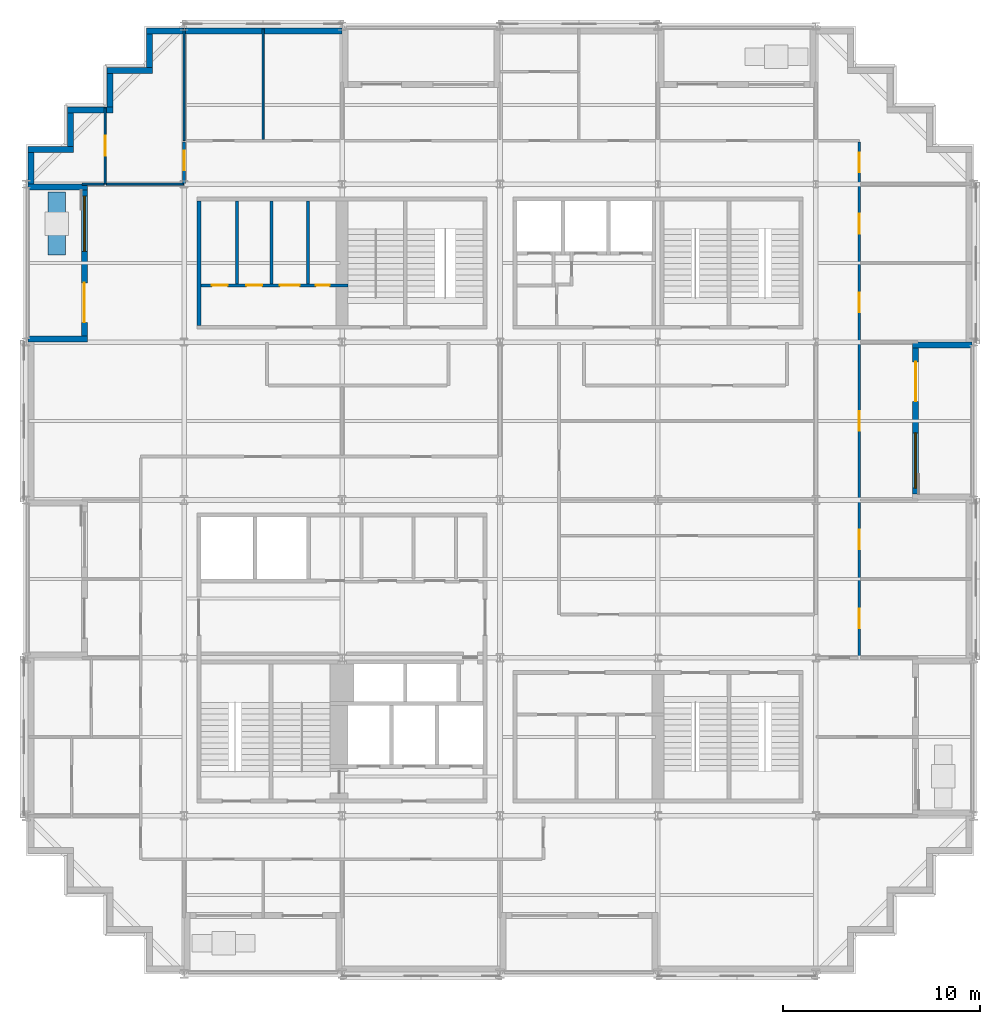
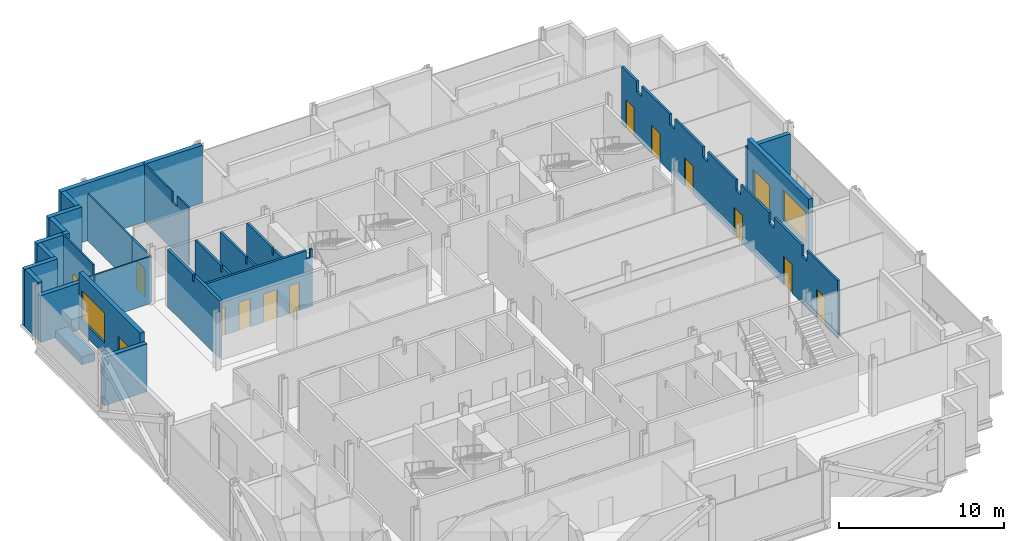
# One storey, part 9 of 15: 26 walls, 14 doors, 2 windows, 16 openings.
"""IFC4 building model written with IfcOpenShell, lengths in metres."""

from ifc_helpers import new_model, si_unit, direction, frame, frame_2d, origin, place, context, subcontext, project, spatial, polyline, rectangle, outline, extrude, material, layer, layer_set, type_object, element, fill, save


model = new_model("IFC4")

# Units and contexts
model_context = context("Model", 3, precision=1e-05, world=origin(), true_north=direction((0.0, 1.0)))
body_context = subcontext(model_context, "Body", "Model", "MODEL_VIEW")
ifc_project = project(units=[si_unit("LENGTHUNIT", "METRE"), si_unit("AREAUNIT", "SQUARE_METRE"), si_unit("VOLUMEUNIT", "CUBIC_METRE"), si_unit("PLANEANGLEUNIT", "RADIAN"), si_unit("MASSUNIT", "GRAM", prefix="KILO")], contexts=[model_context])

# Site, building, storey
site_placement = place(None, origin())
site = spatial("IfcSite", under=ifc_project, at=site_placement, CompositionType="ELEMENT")
building_placement = place(site_placement, origin())
building = spatial("IfcBuilding", under=site, at=building_placement, Name="Immortelle Media Tower", CompositionType="ELEMENT")
storey_placement = place(building_placement, frame((0.0, 0.0, 100.800048828125)))
storey = spatial("IfcBuildingStorey", under=building, at=storey_placement, Name="L19", CompositionType="ELEMENT", Elevation=100.800048828125)

# Wall, openings, doors
ifc_material_1 = material(Name="Fire-rated gypsum board", Category="gypsum")
ifc_layer_1 = layer(ifc_material_1, 0.02490234375)
ifc_material_2 = material(Name="Steel ASTM A653 SS Gr 50 stud frame with mineral wool", Category="steel")
ifc_layer_2 = layer(ifc_material_2, 0.10009765625)
ifc_layer_3 = layer(ifc_material_1, 0.02490234375)
ifc_layer_set_1 = layer_set([ifc_layer_1, ifc_layer_2, ifc_layer_3], Name="Steel ASTM A653 SS Gr 50 stud frame with mineral wool")
wall_type_1 = type_object("IfcWallType", Name="Core partition 150", PredefinedType="PARTITIONING", material=ifc_layer_set_1)
wall_1_placement = place(storey_placement, frame((8.85009765625, 34.875, 0.0), z_axis=(0.0, 0.0, 1.0), x_axis=(1.0, 0.0, 0.0)))
wall_1 = element("IfcWall", 1, at=wall_1_placement, inside=storey, type_object=wall_type_1, Name="Core partition NW", PredefinedType="PARTITIONING", context=body_context, shape_type="SweptSolid", body=[
    extrude(outline(polyline([(0.0, 0.0), (7.449951171875, 0.0), (7.449951171875, 4.25), (7.26953125, 4.25), (7.2685546875, 3.6318359375), (7.031494140625, 3.6318359375), (7.030517578125, 4.25), (0.0, 4.25), (0.0, 0.0)])), frame((0.0, 0.074951171875, 0.0), z_axis=(0.0, -1.0, 0.0), x_axis=(1.0, 0.0, 0.0)), (0.0, 0.0, 1.0), 0.14990234375),
])
opening_1_placement = place(wall_1_placement, frame((0.550048828125, 0.0, 0.0)))
opening_1 = element("IfcOpeningElement", 2, at=opening_1_placement, cuts=wall_1, Name="Opening N6-K021", PredefinedType="OPENING", context=body_context, shape_type="SweptSolid", body=[
    extrude(rectangle(XDim=0.800048828125, YDim=2.10009765625, at=frame_2d((0.39990234375, 1.050048828125))), frame((0.0, 0.0849609375, 0.0), z_axis=(0.0, -1.0, 0.0), x_axis=(1.0, 0.0, 0.0)), (0.0, 0.0, 1.0), 0.169921875),
])
opening_2_placement = place(wall_1_placement, frame((2.300048828125, 0.0, 0.0)))
opening_2 = element("IfcOpeningElement", 3, at=opening_2_placement, cuts=wall_1, Name="Opening N6-K022", PredefinedType="OPENING", context=body_context, shape_type="SweptSolid", body=[
    extrude(rectangle(XDim=0.800048828125, YDim=2.10009765625, at=frame_2d((0.39990234375, 1.050048828125))), frame((0.0, 0.0849609375, 0.0), z_axis=(0.0, -1.0, 0.0), x_axis=(1.0, 0.0, 0.0)), (0.0, 0.0, 1.0), 0.169921875),
])
opening_3_placement = place(wall_1_placement, frame((4.0, 0.0, 0.0)))
opening_3 = element("IfcOpeningElement", 4, at=opening_3_placement, cuts=wall_1, Name="Opening N6-K023", PredefinedType="OPENING", context=body_context, shape_type="SweptSolid", body=[
    extrude(rectangle(XDim=1.0, YDim=2.10009765625, at=frame_2d((0.5, 1.050048828125))), frame((0.0, 0.0849609375, 0.0), z_axis=(0.0, -1.0, 0.0), x_axis=(1.0, 0.0, 0.0)), (0.0, 0.0, 1.0), 0.169921875),
])
opening_4_placement = place(wall_1_placement, frame((5.824951171875, 0.0, 0.0)))
opening_4 = element("IfcOpeningElement", 5, at=opening_4_placement, cuts=wall_1, Name="Opening N6-K025", PredefinedType="OPENING", context=body_context, shape_type="SweptSolid", body=[
    extrude(rectangle(XDim=0.699951171875, YDim=2.10009765625, at=frame_2d((0.35009765625, 1.050048828125))), frame((0.0, 0.0849609375, 0.0), z_axis=(0.0, -1.0, 0.0), x_axis=(1.0, 0.0, 0.0)), (0.0, 0.0, 1.0), 0.169921875),
])
ifc_material_3 = material(Name="Timber", Category="wood")
door_type_1 = type_object("IfcDoorType", Name="Accessible toilet door 1000 x 2100", OperationType="NOTDEFINED", PredefinedType="NOTDEFINED", material=ifc_material_3)
door_1_placement = place(opening_3_placement, origin())
door_1 = element("IfcDoor", 6, at=door_1_placement, inside=storey, type_object=door_type_1, Name="Accessible toilet N6-K023", OperationType="SINGLE_SWING_RIGHT", OverallHeight=2.10009765625, OverallWidth=1.0, PredefinedType="NOTDEFINED", context=body_context, shape_type="SweptSolid", body=[
    extrude(rectangle(XDim=1.0, YDim=2.10009765625, at=frame_2d((0.5, 1.050048828125))), frame((0.0, 0.02490234375, 0.0), z_axis=(0.0, -1.0, 0.0), x_axis=(1.0, 0.0, 0.0)), (0.0, 0.0, 1.0), 0.050048828125),
])
fill(opening_3, door_1)
ifc_material_4 = material(Name="Galvanised steel door leaf and frame ASTM A653", Category="steel")
door_type_2 = type_object("IfcDoorType", Name="Service door 700 x 2100", OperationType="NOTDEFINED", PredefinedType="NOTDEFINED", material=ifc_material_4)
door_2_placement = place(opening_4_placement, origin())
door_2 = element("IfcDoor", 7, at=door_2_placement, inside=storey, type_object=door_type_2, Name="Service N6-K025", OperationType="SINGLE_SWING_RIGHT", OverallHeight=2.10009765625, OverallWidth=0.699951171875, PredefinedType="NOTDEFINED", context=body_context, shape_type="SweptSolid", body=[
    extrude(rectangle(XDim=0.699951171875, YDim=2.10009765625, at=frame_2d((0.35009765625, 1.050048828125))), frame((0.0, 0.02490234375, 0.0), z_axis=(0.0, -1.0, 0.0), x_axis=(1.0, 0.0, 0.0)), (0.0, 0.0, 1.0), 0.050048828125),
])
fill(opening_4, door_2)
door_type_3 = type_object("IfcDoorType", Name="Toilet door 800 x 2100", OperationType="NOTDEFINED", PredefinedType="NOTDEFINED", material=ifc_material_3)
door_3_placement = place(opening_1_placement, origin())
door_3 = element("IfcDoor", 8, at=door_3_placement, inside=storey, type_object=door_type_3, Name="Toilet N6-K021", OperationType="SINGLE_SWING_RIGHT", OverallHeight=2.10009765625, OverallWidth=0.800048828125, PredefinedType="NOTDEFINED", context=body_context, shape_type="SweptSolid", body=[
    extrude(rectangle(XDim=0.800048828125, YDim=2.10009765625, at=frame_2d((0.39990234375, 1.050048828125))), frame((0.0, 0.02490234375, 0.0), z_axis=(0.0, -1.0, 0.0), x_axis=(1.0, 0.0, 0.0)), (0.0, 0.0, 1.0), 0.050048828125),
])
fill(opening_1, door_3)
door_4_placement = place(opening_2_placement, origin())
door_4 = element("IfcDoor", 9, at=door_4_placement, inside=storey, type_object=door_type_3, Name="Toilet N6-K022", OperationType="SINGLE_SWING_LEFT", OverallHeight=2.10009765625, OverallWidth=0.800048828125, PredefinedType="NOTDEFINED", context=body_context, shape_type="SweptSolid", body=[
    extrude(rectangle(XDim=0.800048828125, YDim=2.10009765625, at=frame_2d((0.39990234375, 1.050048828125))), frame((0.0, 0.02490234375, 0.0), z_axis=(0.0, -1.0, 0.0), x_axis=(1.0, 0.0, 0.0)), (0.0, 0.0, 1.0), 0.050048828125),
])
fill(opening_2, door_4)

# Walls
for number, where, z_axis, x_axis, name in (
    (10, (10.675048828125, 34.949951171875, 0.0), (0.0, 0.0, 1.0), (0.0, 1.0, 0.0), "Core partition NW"),
    (11, (12.425048828125, 34.949951171875, 0.0), (0.0, 0.0, 1.0), (0.0, 1.0, 0.0), "Core partition NW"),
    (12, (14.27490234375, 34.949951171875, 0.0), (0.0, 0.0, 1.0), (0.0, 1.0, 0.0), "Core partition NW"),
):
    element("IfcWall", number, at=place(storey_placement, frame(where, z_axis=z_axis, x_axis=x_axis)), inside=storey, type_object=wall_type_1, Name=name, PredefinedType="PARTITIONING", context=body_context, shape_type="SweptSolid", body=[
        extrude(outline(polyline([(0.0, 0.0), (4.199951171875, 0.0), (4.199951171875, 4.25), (1.131591796875, 4.25), (1.130615234375, 3.7890625), (0.969482421875, 3.7890625), (0.968505859375, 4.25), (0.0, 4.25), (0.0, 0.0)])), frame((0.0, 0.074951171875, 0.0), z_axis=(0.0, -1.0, 0.0), x_axis=(1.0, 0.0, 0.0)), (0.0, 0.0, 1.0), 0.14990234375),
    ])
ifc_layer_4 = layer(ifc_material_1, 0.03759765625)
ifc_layer_5 = layer(ifc_material_2, 0.125)
ifc_layer_6 = layer(ifc_material_1, 0.03759765625)
ifc_layer_set_2 = layer_set([ifc_layer_4, ifc_layer_5, ifc_layer_6], Name="Steel ASTM A653 SS Gr 50 stud frame with mineral wool")
wall_type_2 = type_object("IfcWallType", Name="Core shaft wall 200", PredefinedType="PARTITIONING", material=ifc_layer_set_2)
wall_2_placement = place(storey_placement, frame((8.75, 32.85009765625, 0.0), z_axis=(0.0, 0.0, 1.0), x_axis=(0.0, 1.0, 0.0)))
element("IfcWall", 13, at=wall_2_placement, inside=storey, type_object=wall_type_2, Name="Core shaft wall NW", PredefinedType="PARTITIONING", context=body_context, shape_type="SweptSolid", body=[
    extrude(outline(polyline([(0.0, 0.0), (6.2998046875, 0.0), (6.300048828125, 4.25), (3.2314453125, 4.25), (3.23046875, 3.7890625), (3.069580078125, 3.7890625), (3.068603515625, 4.25), (0.0, 4.25), (0.0, 0.0)])), frame((0.0, 0.10009765625, 0.0), z_axis=(0.0, -1.0, 0.0), x_axis=(1.0, 0.0, 0.0)), (0.0, 0.0, 1.0), 0.199951171875),
])

# Wall, openings, doors
ifc_layer_7 = layer(ifc_material_1, 0.012451171875)
ifc_layer_8 = layer(ifc_material_2, 0.125)
ifc_layer_9 = layer(ifc_material_1, 0.012451171875)
ifc_layer_set_3 = layer_set([ifc_layer_7, ifc_layer_8, ifc_layer_9], Name="Steel ASTM A653 SS Gr 50 stud frame with mineral wool")
wall_type_3 = type_object("IfcWallType", Name="Corridor wall 150", PredefinedType="PARTITIONING", material=ifc_layer_set_3)
wall_3_placement = place(storey_placement, frame((42.199951171875, 16.0, 0.0), z_axis=(0.0, 0.0, 1.0), x_axis=(0.0, 1.0, 0.0)))
wall_3 = element("IfcWall", 14, at=wall_3_placement, inside=storey, type_object=wall_type_3, Name="Partition L19-021", PredefinedType="PARTITIONING", context=body_context, shape_type="SweptSolid", body=[
    extrude(outline(polyline([(0.0, 0.0), (26.125, 0.0), (26.125, 4.25), (24.300048828125, 4.25), (24.298095703125, 3.469970703125), (23.701904296875, 3.469970703125), (23.699951171875, 4.25), (20.300048828125, 4.25), (20.298095703125, 3.469970703125), (19.701904296875, 3.469970703125), (19.699951171875, 4.25), (16.300048828125, 4.25), (16.298095703125, 3.469970703125), (15.701904296875, 3.469970703125), (15.699951171875, 4.25), (12.300048828125, 4.25), (12.298095703125, 3.469970703125), (11.701904296875, 3.469970703125), (11.699951171875, 4.25), (8.300048828125, 4.25), (8.298095703125, 3.469970703125), (7.701904296875, 3.469970703125), (7.699951171875, 4.25), (4.300048828125, 4.25), (4.298095703125, 3.469970703125), (3.701904296875, 3.469970703125), (3.699951171875, 4.25), (0.0, 4.25), (0.0, 0.0)])), frame((0.0, 0.074951171875, 0.0), z_axis=(0.0, -1.0, 0.0), x_axis=(1.0, 0.0, 0.0)), (0.0, 0.0, 1.0), 0.14990234375),
])
opening_5_placement = place(wall_3_placement, frame((2.5, 0.0, 0.0), z_axis=(0.0, 0.0, 1.0), x_axis=(-1.0, 0.0, 0.0)))
opening_5 = element("IfcOpeningElement", 15, at=opening_5_placement, cuts=wall_3, Name="Opening N6-F014", PredefinedType="OPENING", context=body_context, shape_type="SweptSolid", body=[
    extrude(rectangle(XDim=1.0, YDim=2.10009765625, at=frame_2d((0.5, 1.050048828125))), frame((0.0, 0.0849609375, 0.0), z_axis=(0.0, -1.0, 0.0), x_axis=(1.0, 0.0, 0.0)), (0.0, 0.0, 1.0), 0.169921875),
])
opening_6_placement = place(wall_3_placement, frame((6.5, 0.0, 0.0), z_axis=(0.0, 0.0, 1.0), x_axis=(-1.0, 0.0, 0.0)))
opening_6 = element("IfcOpeningElement", 16, at=opening_6_placement, cuts=wall_3, Name="Opening N6-F015", PredefinedType="OPENING", context=body_context, shape_type="SweptSolid", body=[
    extrude(rectangle(XDim=1.0, YDim=2.10009765625, at=frame_2d((0.5, 1.050048828125))), frame((0.0, 0.0849609375, 0.0), z_axis=(0.0, -1.0, 0.0), x_axis=(1.0, 0.0, 0.0)), (0.0, 0.0, 1.0), 0.169921875),
])
opening_7_placement = place(wall_3_placement, frame((12.5, 0.0, 0.0), z_axis=(0.0, 0.0, 1.0), x_axis=(-1.0, 0.0, 0.0)))
opening_7 = element("IfcOpeningElement", 17, at=opening_7_placement, cuts=wall_3, Name="Opening N6-F020", PredefinedType="OPENING", context=body_context, shape_type="SweptSolid", body=[
    extrude(rectangle(XDim=1.0, YDim=2.10009765625, at=frame_2d((0.5, 1.050048828125))), frame((0.0, 0.0849609375, 0.0), z_axis=(0.0, -1.0, 0.0), x_axis=(1.0, 0.0, 0.0)), (0.0, 0.0, 1.0), 0.169921875),
])
opening_8_placement = place(wall_3_placement, frame((18.5, 0.0, 0.0), z_axis=(0.0, 0.0, 1.0), x_axis=(-1.0, 0.0, 0.0)))
opening_8 = element("IfcOpeningElement", 18, at=opening_8_placement, cuts=wall_3, Name="Opening N6-F023", PredefinedType="OPENING", context=body_context, shape_type="SweptSolid", body=[
    extrude(rectangle(XDim=1.0, YDim=2.10009765625, at=frame_2d((0.5, 1.050048828125))), frame((0.0, 0.0849609375, 0.0), z_axis=(0.0, -1.0, 0.0), x_axis=(1.0, 0.0, 0.0)), (0.0, 0.0, 1.0), 0.169921875),
])
opening_9_placement = place(wall_3_placement, frame((22.5, 0.0, 0.0), z_axis=(0.0, 0.0, 1.0), x_axis=(-1.0, 0.0, 0.0)))
opening_9 = element("IfcOpeningElement", 19, at=opening_9_placement, cuts=wall_3, Name="Opening N6-F024", PredefinedType="OPENING", context=body_context, shape_type="SweptSolid", body=[
    extrude(rectangle(XDim=1.0, YDim=2.10009765625, at=frame_2d((0.5, 1.050048828125))), frame((0.0, 0.0849609375, 0.0), z_axis=(0.0, -1.0, 0.0), x_axis=(1.0, 0.0, 0.0)), (0.0, 0.0, 1.0), 0.169921875),
])
opening_10_placement = place(wall_3_placement, frame((25.60009765625, 0.0, 0.0), z_axis=(0.0, 0.0, 1.0), x_axis=(-1.0, 0.0, 0.0)))
opening_10 = element("IfcOpeningElement", 20, at=opening_10_placement, cuts=wall_3, Name="Opening N6-F027", PredefinedType="OPENING", context=body_context, shape_type="SweptSolid", body=[
    extrude(rectangle(XDim=1.0, YDim=2.10009765625, at=frame_2d((0.5, 1.050048828125))), frame((0.0, 0.0849609375, 0.0), z_axis=(0.0, -1.0, 0.0), x_axis=(1.0, 0.0, 0.0)), (0.0, 0.0, 1.0), 0.169921875),
])
ifc_material_5 = material(Name="Timber veneered door leaf, galvanised steel frame ASTM A653", Category="steel")
door_type_4 = type_object("IfcDoorType", Name="Room door 1000 x 2100", OperationType="NOTDEFINED", PredefinedType="DOOR", material=ifc_material_5)
door_5_placement = place(opening_5_placement, origin())
door_5 = element("IfcDoor", 21, at=door_5_placement, inside=storey, type_object=door_type_4, Name="Door N6-F014", OperationType="SINGLE_SWING_LEFT", OverallHeight=2.10009765625, OverallWidth=1.0, PredefinedType="DOOR", context=body_context, shape_type="SweptSolid", body=[
    extrude(rectangle(XDim=1.0, YDim=2.10009765625, at=frame_2d((0.5, 1.050048828125))), frame((0.0, 0.02490234375, 0.0), z_axis=(0.0, -1.0, 0.0), x_axis=(1.0, 0.0, 0.0)), (0.0, 0.0, 1.0), 0.050048828125),
])
fill(opening_5, door_5)
door_6_placement = place(opening_6_placement, origin())
door_6 = element("IfcDoor", 22, at=door_6_placement, inside=storey, type_object=door_type_4, Name="Door N6-F015", OperationType="SINGLE_SWING_RIGHT", OverallHeight=2.10009765625, OverallWidth=1.0, PredefinedType="DOOR", context=body_context, shape_type="SweptSolid", body=[
    extrude(rectangle(XDim=1.0, YDim=2.10009765625, at=frame_2d((0.5, 1.050048828125))), frame((0.0, 0.02490234375, 0.0), z_axis=(0.0, -1.0, 0.0), x_axis=(1.0, 0.0, 0.0)), (0.0, 0.0, 1.0), 0.050048828125),
])
fill(opening_6, door_6)
door_7_placement = place(opening_7_placement, origin())
door_7 = element("IfcDoor", 23, at=door_7_placement, inside=storey, type_object=door_type_4, Name="Door N6-F020", OperationType="SINGLE_SWING_RIGHT", OverallHeight=2.10009765625, OverallWidth=1.0, PredefinedType="DOOR", context=body_context, shape_type="SweptSolid", body=[
    extrude(rectangle(XDim=1.0, YDim=2.10009765625, at=frame_2d((0.5, 1.050048828125))), frame((0.0, 0.02490234375, 0.0), z_axis=(0.0, -1.0, 0.0), x_axis=(1.0, 0.0, 0.0)), (0.0, 0.0, 1.0), 0.050048828125),
])
fill(opening_7, door_7)
door_8_placement = place(opening_8_placement, origin())
door_8 = element("IfcDoor", 24, at=door_8_placement, inside=storey, type_object=door_type_4, Name="Door N6-F023", OperationType="SINGLE_SWING_RIGHT", OverallHeight=2.10009765625, OverallWidth=1.0, PredefinedType="DOOR", context=body_context, shape_type="SweptSolid", body=[
    extrude(rectangle(XDim=1.0, YDim=2.10009765625, at=frame_2d((0.5, 1.050048828125))), frame((0.0, 0.02490234375, 0.0), z_axis=(0.0, -1.0, 0.0), x_axis=(1.0, 0.0, 0.0)), (0.0, 0.0, 1.0), 0.050048828125),
])
fill(opening_8, door_8)
door_9_placement = place(opening_9_placement, origin())
door_9 = element("IfcDoor", 25, at=door_9_placement, inside=storey, type_object=door_type_4, Name="Door N6-F024", OperationType="SINGLE_SWING_LEFT", OverallHeight=2.10009765625, OverallWidth=1.0, PredefinedType="DOOR", context=body_context, shape_type="SweptSolid", body=[
    extrude(rectangle(XDim=1.0, YDim=2.10009765625, at=frame_2d((0.5, 1.050048828125))), frame((0.0, 0.02490234375, 0.0), z_axis=(0.0, -1.0, 0.0), x_axis=(1.0, 0.0, 0.0)), (0.0, 0.0, 1.0), 0.050048828125),
])
fill(opening_9, door_9)
door_10_placement = place(opening_10_placement, origin())
door_10 = element("IfcDoor", 26, at=door_10_placement, inside=storey, type_object=door_type_4, Name="Door N6-F027", OperationType="SINGLE_SWING_RIGHT", OverallHeight=2.10009765625, OverallWidth=1.0, PredefinedType="DOOR", context=body_context, shape_type="SweptSolid", body=[
    extrude(rectangle(XDim=1.0, YDim=2.10009765625, at=frame_2d((0.5, 1.050048828125))), frame((0.0, 0.02490234375, 0.0), z_axis=(0.0, -1.0, 0.0), x_axis=(1.0, 0.0, 0.0)), (0.0, 0.0, 1.0), 0.050048828125),
])
fill(opening_10, door_10)

# Wall, opening, door
wall_4_placement = place(storey_placement, frame((8.0, 40.030029296875, 0.0), z_axis=(0.0, 0.0, 1.0), x_axis=(0.0, 1.0, 0.0)))
wall_4 = element("IfcWall", 27, at=wall_4_placement, inside=storey, type_object=wall_type_3, Name="Partition L19-047", PredefinedType="PARTITIONING", context=body_context, shape_type="SweptSolid", body=[
    extrude(rectangle(XDim=2.094970703125, YDim=0.14990234375, at=frame_2d((1.04736328125, 0.0))), origin(), (0.0, 0.0, 1.0), 3.469970703125),
])
opening_11_placement = place(wall_4_placement, frame((0.669921875, 0.0, 0.0)))
opening_11 = element("IfcOpeningElement", 28, at=opening_11_placement, cuts=wall_4, Name="Opening N6-F025", PredefinedType="OPENING", context=body_context, shape_type="SweptSolid", body=[
    extrude(rectangle(XDim=1.0, YDim=2.10009765625, at=frame_2d((0.5, 1.050048828125))), frame((0.0, 0.0849609375, 0.0), z_axis=(0.0, -1.0, 0.0), x_axis=(1.0, 0.0, 0.0)), (0.0, 0.0, 1.0), 0.169921875),
])
door_11_placement = place(opening_11_placement, origin())
door_11 = element("IfcDoor", 29, at=door_11_placement, inside=storey, type_object=door_type_4, Name="Door N6-F025", OperationType="SINGLE_SWING_LEFT", OverallHeight=2.10009765625, OverallWidth=1.0, PredefinedType="DOOR", context=body_context, shape_type="SweptSolid", body=[
    extrude(rectangle(XDim=1.0, YDim=2.10009765625, at=frame_2d((0.5, 1.050048828125))), frame((0.0, 0.02490234375, 0.0), z_axis=(0.0, -1.0, 0.0), x_axis=(1.0, 0.0, 0.0)), (0.0, 0.0, 1.0), 0.050048828125),
])
fill(opening_11, door_11)

# Wall
ifc_material_6 = material(Name="Pale aluminium cladding panel", Category="aluminium")
ifc_layer_10 = layer(ifc_material_6, 0.030029296875)
ifc_layer_11 = layer(ifc_material_2, 0.257568359375)
ifc_material_7 = material(Name="Moisture-resistant gypsum board", Category="gypsum")
ifc_layer_12 = layer(ifc_material_7, 0.012451171875)
ifc_layer_set_4 = layer_set([ifc_layer_10, ifc_layer_11, ifc_layer_12], Name="Steel ASTM A653 SS Gr 50 stud frame with mineral wool")
wall_type_4 = type_object("IfcWallType", Name="Facade wall 300", PredefinedType="SOLIDWALL", material=ifc_layer_set_4)
wall_5_placement = place(storey_placement, frame((0.25, 41.60009765625, 0.0), z_axis=(0.0, 0.0, 1.0), x_axis=(0.0, -1.0, 0.0)))
element("IfcWall", 30, at=wall_5_placement, inside=storey, type_object=wall_type_4, Name="Facade wall L19 W0", PredefinedType="SOLIDWALL", context=body_context, shape_type="SweptSolid", body=[
    extrude(rectangle(XDim=1.60009765625, YDim=0.300048828125, at=frame_2d((0.800048828125, 0.0))), origin(), (0.0, 0.0, 1.0), 4.25),
])

# Wall, openings, door, window
wall_6_placement = place(storey_placement, frame((2.949951171875, 39.699951171875, 0.0), z_axis=(0.0, 0.0, 1.0), x_axis=(0.0, -1.0, 0.0)))
wall_6 = element("IfcWall", 31, at=wall_6_placement, inside=storey, type_object=wall_type_4, Name="Loggia wall L19 W0", PredefinedType="SOLIDWALL", context=body_context, shape_type="SweptSolid", body=[
    extrude(rectangle(XDim=7.39990234375, YDim=0.300048828125, at=frame_2d((3.699951171875, 0.0))), origin(), (0.0, 0.0, 1.0), 4.25),
])
opening_12_placement = place(wall_6_placement, frame((0.300048828125, 0.0, 0.89990234375)))
opening_12 = element("IfcOpeningElement", 32, at=opening_12_placement, cuts=wall_6, Name="Opening W1", PredefinedType="OPENING", context=body_context, shape_type="SweptSolid", body=[
    extrude(rectangle(XDim=2.800048828125, YDim=2.199951171875, at=frame_2d((1.39990234375, 1.10009765625))), frame((0.0, 0.159912109375, 0.0), z_axis=(0.0, -1.0, 0.0), x_axis=(1.0, 0.0, 0.0)), (0.0, 0.0, 1.0), 0.320068359375),
])
opening_13_placement = place(wall_6_placement, frame((4.699951171875, 0.0, 0.0)))
opening_13 = element("IfcOpeningElement", 33, at=opening_13_placement, cuts=wall_6, Name="Opening N6-E001", PredefinedType="OPENING", context=body_context, shape_type="SweptSolid", body=[
    extrude(rectangle(XDim=2.0, YDim=2.39990234375, at=frame_2d((1.0, 1.199951171875))), frame((0.0, 0.159912109375, 0.0), z_axis=(0.0, -1.0, 0.0), x_axis=(1.0, 0.0, 0.0)), (0.0, 0.0, 1.0), 0.320068359375),
])
ifc_material_8 = material(Name="Aluminium frame, glazed leaves", Category="aluminium")
door_type_5 = type_object("IfcDoorType", Name="Loggia door 2000 x 2400", OperationType="DOUBLE_DOOR_SINGLE_SWING", PredefinedType="DOOR", material=ifc_material_8)
door_12_placement = place(opening_13_placement, origin())
door_12 = element("IfcDoor", 34, at=door_12_placement, inside=storey, type_object=door_type_5, Name="Door N6-E001", OperationType="DOUBLE_DOOR_SINGLE_SWING", OverallHeight=2.39990234375, OverallWidth=2.0, PredefinedType="DOOR", context=body_context, shape_type="SweptSolid", body=[
    extrude(rectangle(XDim=2.0, YDim=2.39990234375, at=frame_2d((1.0, 1.199951171875))), frame((0.0, 0.02490234375, 0.0), z_axis=(0.0, -1.0, 0.0), x_axis=(1.0, 0.0, 0.0)), (0.0, 0.0, 1.0), 0.050048828125),
])
fill(opening_13, door_12)
ifc_material_9 = material(Name="Aluminium frame", Category="aluminium")
window_type = type_object("IfcWindowType", Name="Window 2800 x 2200", PartitioningType="SINGLE_PANEL", PredefinedType="WINDOW", material=ifc_material_9)
window_1_placement = place(opening_12_placement, origin())
window_1 = element("IfcWindow", 35, at=window_1_placement, inside=storey, type_object=window_type, Name="Window L19 L19-R0-B0", OverallHeight=2.199951171875, OverallWidth=2.800048828125, PartitioningType="SINGLE_PANEL", PredefinedType="WINDOW", context=body_context, shape_type="SweptSolid", body=[
    extrude(rectangle(XDim=2.800048828125, YDim=2.199951171875, at=frame_2d((1.39990234375, 1.10009765625))), frame((0.0, 0.030029296875, 0.0), z_axis=(0.0, -1.0, 0.0), x_axis=(1.0, 0.0, 0.0)), (0.0, 0.0, 1.0), 0.06005859375),
])
fill(opening_12, window_1)

# Walls
wall_7_placement = place(storey_placement, frame((0.10009765625, 39.85009765625, 0.0), z_axis=(0.0, 0.0, 1.0), x_axis=(1.0, 0.0, 0.0)))
element("IfcWall", 36, at=wall_7_placement, inside=storey, type_object=wall_type_4, Name="Loggia cheek wall L19 W", PredefinedType="SOLIDWALL", context=body_context, shape_type="SweptSolid", body=[
    extrude(rectangle(XDim=3.0, YDim=0.300048828125, at=frame_2d((1.5, 0.0))), origin(), (0.0, 0.0, 1.0), 3.468994140625),
])
wall_8_placement = place(storey_placement, frame((0.10009765625, 32.14990234375, 0.0), z_axis=(0.0, 0.0, 1.0), x_axis=(1.0, 0.0, 0.0)))
element("IfcWall", 37, at=wall_8_placement, inside=storey, type_object=wall_type_4, Name="Loggia cheek wall L19 W", PredefinedType="SOLIDWALL", context=body_context, shape_type="SweptSolid", body=[
    extrude(rectangle(XDim=3.0, YDim=0.300048828125, at=frame_2d((1.5, 0.0))), origin(), (0.0, 0.0, 1.0), 3.555908203125),
])

# Wall, openings, door, window
wall_9_placement = place(storey_placement, frame((45.050048828125, 24.300048828125, 0.0), z_axis=(0.0, 0.0, 1.0), x_axis=(0.0, 1.0, 0.0)))
wall_9 = element("IfcWall", 38, at=wall_9_placement, inside=storey, type_object=wall_type_4, Name="Loggia wall L19 E14", PredefinedType="SOLIDWALL", context=body_context, shape_type="SweptSolid", body=[
    extrude(rectangle(XDim=7.39990234375, YDim=0.300048828125, at=frame_2d((3.699951171875, 0.0))), origin(), (0.0, 0.0, 1.0), 4.25),
])
opening_14_placement = place(wall_9_placement, frame((0.300048828125, 0.0, 0.89990234375)))
opening_14 = element("IfcOpeningElement", 39, at=opening_14_placement, cuts=wall_9, Name="Opening W1", PredefinedType="OPENING", context=body_context, shape_type="SweptSolid", body=[
    extrude(rectangle(XDim=2.800048828125, YDim=2.199951171875, at=frame_2d((1.39990234375, 1.10009765625))), frame((0.0, 0.159912109375, 0.0), z_axis=(0.0, -1.0, 0.0), x_axis=(1.0, 0.0, 0.0)), (0.0, 0.0, 1.0), 0.320068359375),
])
opening_15_placement = place(wall_9_placement, frame((4.699951171875, 0.0, 0.0)))
opening_15 = element("IfcOpeningElement", 40, at=opening_15_placement, cuts=wall_9, Name="Opening N6-E006", PredefinedType="OPENING", context=body_context, shape_type="SweptSolid", body=[
    extrude(rectangle(XDim=2.0, YDim=2.39990234375, at=frame_2d((1.0, 1.199951171875))), frame((0.0, 0.159912109375, 0.0), z_axis=(0.0, -1.0, 0.0), x_axis=(1.0, 0.0, 0.0)), (0.0, 0.0, 1.0), 0.320068359375),
])
door_13_placement = place(opening_15_placement, origin())
door_13 = element("IfcDoor", 41, at=door_13_placement, inside=storey, type_object=door_type_5, Name="Door N6-E006", OperationType="DOUBLE_DOOR_SINGLE_SWING", OverallHeight=2.39990234375, OverallWidth=2.0, PredefinedType="DOOR", context=body_context, shape_type="SweptSolid", body=[
    extrude(rectangle(XDim=2.0, YDim=2.39990234375, at=frame_2d((1.0, 1.199951171875))), frame((0.0, 0.02490234375, 0.0), z_axis=(0.0, -1.0, 0.0), x_axis=(1.0, 0.0, 0.0)), (0.0, 0.0, 1.0), 0.050048828125),
])
fill(opening_15, door_13)
window_2_placement = place(opening_14_placement, origin())
window_2 = element("IfcWindow", 42, at=window_2_placement, inside=storey, type_object=window_type, Name="Window L19 L19-R14-B2", OverallHeight=2.199951171875, OverallWidth=2.800048828125, PartitioningType="SINGLE_PANEL", PredefinedType="WINDOW", context=body_context, shape_type="SweptSolid", body=[
    extrude(rectangle(XDim=2.800048828125, YDim=2.199951171875, at=frame_2d((1.39990234375, 1.10009765625))), frame((0.0, 0.030029296875, 0.0), z_axis=(0.0, -1.0, 0.0), x_axis=(1.0, 0.0, 0.0)), (0.0, 0.0, 1.0), 0.06005859375),
])
fill(opening_14, window_2)

# Walls
wall_10_placement = place(storey_placement, frame((47.89990234375, 31.85009765625, 0.0), z_axis=(0.0, 0.0, 1.0), x_axis=(-1.0, 0.0, 0.0)))
element("IfcWall", 43, at=wall_10_placement, inside=storey, type_object=wall_type_4, Name="Loggia cheek wall L19 E", PredefinedType="SOLIDWALL", context=body_context, shape_type="SweptSolid", body=[
    extrude(rectangle(XDim=3.0, YDim=0.300048828125, at=frame_2d((1.5, 0.0))), origin(), (0.0, 0.0, 1.0), 3.555908203125),
])
wall_11_placement = place(storey_placement, frame((16.0, 47.75, 0.0), z_axis=(0.0, 0.0, 1.0), x_axis=(-1.0, 0.0, 0.0)))
element("IfcWall", 44, at=wall_11_placement, inside=storey, type_object=wall_type_4, Name="Facade wall L19 N21", PredefinedType="SOLIDWALL", context=body_context, shape_type="SweptSolid", body=[
    extrude(rectangle(XDim=9.89990234375, YDim=0.300048828125, at=frame_2d((4.949951171875, 0.0))), origin(), (0.0, 0.0, 1.0), 4.25),
])
wall_12_placement = place(storey_placement, frame((6.25, 47.60009765625, 0.0), z_axis=(0.0, 0.0, 1.0), x_axis=(0.0, -1.0, 0.0)))
element("IfcWall", 45, at=wall_12_placement, inside=storey, type_object=wall_type_4, Name="Facade wall L19 W22", PredefinedType="SOLIDWALL", context=body_context, shape_type="SweptSolid", body=[
    extrude(rectangle(XDim=1.7001953125, YDim=0.300048828125, at=frame_2d((0.85009765625, 0.0))), origin(), (0.0, 0.0, 1.0), 4.25),
])
wall_13_placement = place(storey_placement, frame((6.39990234375, 45.75, 0.0), z_axis=(0.0, 0.0, 1.0), x_axis=(-1.0, 0.0, 0.0)))
element("IfcWall", 46, at=wall_13_placement, inside=storey, type_object=wall_type_4, Name="Facade wall L19 N23", PredefinedType="SOLIDWALL", context=body_context, shape_type="SweptSolid", body=[
    extrude(rectangle(XDim=2.2998046875, YDim=0.300048828125, at=frame_2d((1.14990234375, 0.0))), origin(), (0.0, 0.0, 1.0), 4.25),
])
wall_14_placement = place(storey_placement, frame((4.25, 45.60009765625, 0.0), z_axis=(0.0, 0.0, 1.0), x_axis=(0.0, -1.0, 0.0)))
element("IfcWall", 47, at=wall_14_placement, inside=storey, type_object=wall_type_4, Name="Facade wall L19 W24", PredefinedType="SOLIDWALL", context=body_context, shape_type="SweptSolid", body=[
    extrude(rectangle(XDim=1.7001953125, YDim=0.300048828125, at=frame_2d((0.85009765625, 0.0))), origin(), (0.0, 0.0, 1.0), 4.25),
])
wall_15_placement = place(storey_placement, frame((4.39990234375, 43.75, 0.0), z_axis=(0.0, 0.0, 1.0), x_axis=(-1.0, 0.0, 0.0)))
element("IfcWall", 48, at=wall_15_placement, inside=storey, type_object=wall_type_4, Name="Facade wall L19 N25", PredefinedType="SOLIDWALL", context=body_context, shape_type="SweptSolid", body=[
    extrude(rectangle(XDim=2.2998046875, YDim=0.300048828125, at=frame_2d((1.14990234375, 0.0))), origin(), (0.0, 0.0, 1.0), 4.25),
])
wall_16_placement = place(storey_placement, frame((2.25, 43.60009765625, 0.0), z_axis=(0.0, 0.0, 1.0), x_axis=(0.0, -1.0, 0.0)))
element("IfcWall", 49, at=wall_16_placement, inside=storey, type_object=wall_type_4, Name="Facade wall L19 W26", PredefinedType="SOLIDWALL", context=body_context, shape_type="SweptSolid", body=[
    extrude(rectangle(XDim=1.7001953125, YDim=0.300048828125, at=frame_2d((0.85009765625, 0.0))), origin(), (0.0, 0.0, 1.0), 4.25),
])
wall_17_placement = place(storey_placement, frame((2.39990234375, 41.75, 0.0), z_axis=(0.0, 0.0, 1.0), x_axis=(-1.0, 0.0, 0.0)))
element("IfcWall", 50, at=wall_17_placement, inside=storey, type_object=wall_type_4, Name="Facade wall L19 N27", PredefinedType="SOLIDWALL", context=body_context, shape_type="SweptSolid", body=[
    extrude(rectangle(XDim=2.2998046875, YDim=0.300048828125, at=frame_2d((1.14990234375, 0.0))), origin(), (0.0, 0.0, 1.0), 4.25),
])
ifc_material_10 = material(Name="Gypsum board", Category="gypsum")
ifc_layer_13 = layer(ifc_material_10, 0.012451171875)
ifc_layer_14 = layer(ifc_material_2, 0.074951171875)
ifc_layer_15 = layer(ifc_material_10, 0.012451171875)
ifc_layer_set_5 = layer_set([ifc_layer_13, ifc_layer_14, ifc_layer_15], Name="Steel ASTM A653 SS Gr 50 stud frame with mineral wool")
wall_type_5 = type_object("IfcWallType", Name="Partition 100", PredefinedType="PARTITIONING", material=ifc_layer_set_5)
wall_18_placement = place(storey_placement, frame((2.830078125, 40.0, 0.0), z_axis=(0.0, 0.0, 1.0), x_axis=(1.0, 0.0, 0.0)))
element("IfcWall", 51, at=wall_18_placement, inside=storey, type_object=wall_type_5, Name="Partition L19-043", PredefinedType="PARTITIONING", context=body_context, shape_type="SweptSolid", body=[
    extrude(rectangle(XDim=1.119873046875, YDim=0.10009765625, at=frame_2d((0.56005859375, 0.0))), origin(), (0.0, 0.0, 1.0), 3.469970703125),
])
wall_19_placement = place(storey_placement, frame((4.050048828125, 40.0, 0.0), z_axis=(0.0, 0.0, 1.0), x_axis=(1.0, 0.0, 0.0)))
element("IfcWall", 52, at=wall_19_placement, inside=storey, type_object=wall_type_5, Name="Partition L19-044", PredefinedType="PARTITIONING", context=body_context, shape_type="SweptSolid", body=[
    extrude(rectangle(XDim=3.919921875, YDim=0.10009765625, at=frame_2d((1.9599609375, 0.0))), origin(), (0.0, 0.0, 1.0), 3.469970703125),
])

# Wall, opening, door
wall_20_placement = place(storey_placement, frame((4.0, 40.0, 0.0), z_axis=(0.0, 0.0, 1.0), x_axis=(0.0, 1.0, 0.0)))
wall_20 = element("IfcWall", 53, at=wall_20_placement, inside=storey, type_object=wall_type_5, Name="Partition L19-045", PredefinedType="PARTITIONING", context=body_context, shape_type="SweptSolid", body=[
    extrude(rectangle(XDim=3.8701171875, YDim=0.10009765625, at=frame_2d((1.93505859375, 0.0))), origin(), (0.0, 0.0, 1.0), 4.25),
])
opening_16_placement = place(wall_20_placement, frame((1.449951171875, 0.0, 0.0)))
opening_16 = element("IfcOpeningElement", 54, at=opening_16_placement, cuts=wall_20, Name="Opening N6-F026", PredefinedType="OPENING", context=body_context, shape_type="SweptSolid", body=[
    extrude(rectangle(XDim=1.0, YDim=2.10009765625, at=frame_2d((0.5, 1.050048828125))), frame((0.0, 0.06005859375, 0.0), z_axis=(0.0, -1.0, 0.0), x_axis=(1.0, 0.0, 0.0)), (0.0, 0.0, 1.0), 0.1201171875),
])
door_14_placement = place(opening_16_placement, origin())
door_14 = element("IfcDoor", 55, at=door_14_placement, inside=storey, type_object=door_type_4, Name="Door N6-F026", OperationType="SINGLE_SWING_LEFT", OverallHeight=2.10009765625, OverallWidth=1.0, PredefinedType="DOOR", context=body_context, shape_type="SweptSolid", body=[
    extrude(rectangle(XDim=1.0, YDim=2.10009765625, at=frame_2d((0.5, 1.050048828125))), frame((0.0, 0.02490234375, 0.0), z_axis=(0.0, -1.0, 0.0), x_axis=(1.0, 0.0, 0.0)), (0.0, 0.0, 1.0), 0.050048828125),
])
fill(opening_16, door_14)

# Walls
wall_21_placement = place(storey_placement, frame((8.0, 42.199951171875, 0.0), z_axis=(0.0, 0.0, 1.0), x_axis=(0.0, 1.0, 0.0)))
element("IfcWall", 56, at=wall_21_placement, inside=storey, type_object=wall_type_5, Name="Partition L19-049", PredefinedType="PARTITIONING", context=body_context, shape_type="SweptSolid", body=[
    extrude(rectangle(XDim=5.670166015625, YDim=0.10009765625, at=frame_2d((2.8349609375, 0.0))), origin(), (0.0, 0.0, 1.0), 3.469970703125),
])
wall_22_placement = place(storey_placement, frame((12.0, 42.27490234375, 0.0), z_axis=(0.0, 0.0, 1.0), x_axis=(0.0, 1.0, 0.0)))
element("IfcWall", 57, at=wall_22_placement, inside=storey, type_object=wall_type_5, Name="Partition L19-050", PredefinedType="PARTITIONING", context=body_context, shape_type="SweptSolid", body=[
    extrude(outline(polyline([(0.0, 0.0), (5.59521484375, 0.0), (5.594970703125, 4.25), (2.02490234375, 4.25), (2.02294921875, 3.469970703125), (1.427001953125, 3.469970703125), (1.425048828125, 4.25), (0.0, 4.25), (0.0, 0.0)])), frame((0.0, 0.050048828125, 0.0), z_axis=(0.0, -1.0, 0.0), x_axis=(1.0, 0.0, 0.0)), (0.0, 0.0, 1.0), 0.10009765625),
])
ifc_layer_16 = layer(ifc_material_6, 0.0029296875)
ifc_material_11 = material(Name="Steel ASTM A572 Gr 50 planter shell", Category="steel")
ifc_layer_17 = layer(ifc_material_11, 0.011962890625)
ifc_material_12 = material(Name="Planting substrate", Category="soil")
ifc_layer_18 = layer(ifc_material_12, 0.873046875)
ifc_layer_19 = layer(ifc_material_11, 0.011962890625)
ifc_layer_set_6 = layer_set([ifc_layer_16, ifc_layer_17, ifc_layer_18, ifc_layer_19], Name="Steel ASTM A572 Gr 50 planter shell")
wall_type_6 = type_object("IfcWallType", Name="Planter wall 900", PredefinedType="SOLIDWALL", material=ifc_layer_set_6)
wall_23_placement = place(storey_placement, frame((1.550048828125, 39.60009765625, 0.0), z_axis=(0.0, 0.0, 1.0), x_axis=(0.0, -1.0, 0.0)))
element("IfcWall", 58, at=wall_23_placement, inside=storey, type_object=wall_type_6, Name="Planter L19 W0", PredefinedType="SOLIDWALL", context=body_context, shape_type="SweptSolid", body=[
    extrude(rectangle(XDim=3.2001953125, YDim=0.89990234375, at=frame_2d((1.60009765625, 0.0))), origin(), (0.0, 0.0, 1.0), 0.599853515625),
])

save(model, "model.ifc")
